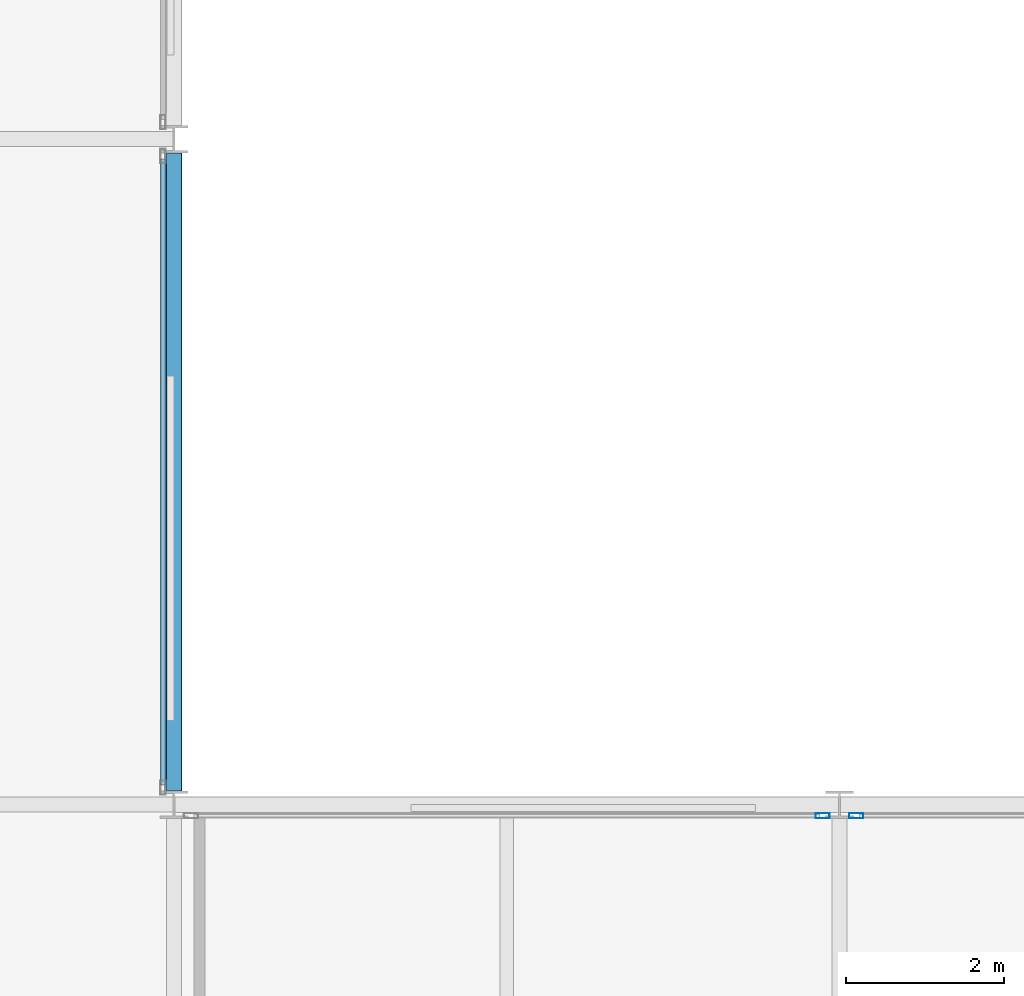
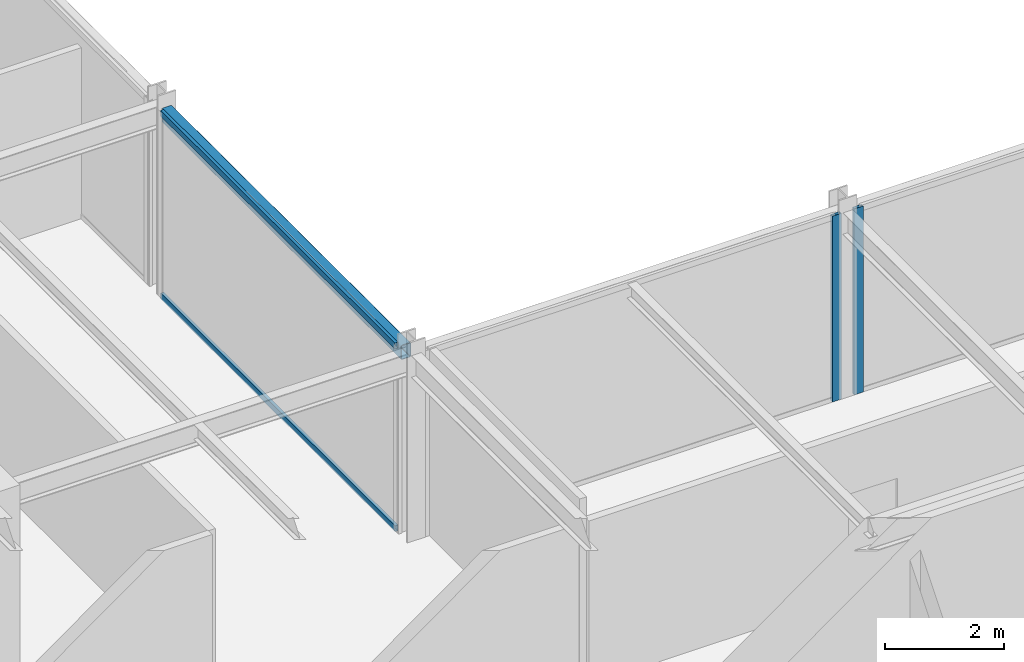
# One storey, part 15 of 29: 4 members, 1 beam, 3 elements without a shape of their own.
"""IFC4 building model written with IfcOpenShell, lengths in metres."""

from ifc_helpers import new_model, si_unit, direction, frame, origin, origin_2d, place, context, subcontext, project, spatial, hollow_rectangle, extrude, material, layer, layer_set, material_profile, profile_set, type_object, element, aggregate, save


model = new_model("IFC4")

# Units and contexts
model_context = context("Model", 3, precision=1e-05, world=origin(), true_north=direction((0.0, 1.0)))
body_context = subcontext(model_context, "Body", "Model", "MODEL_VIEW")
ifc_project = project(units=[si_unit("LENGTHUNIT", "METRE"), si_unit("AREAUNIT", "SQUARE_METRE"), si_unit("VOLUMEUNIT", "CUBIC_METRE"), si_unit("PLANEANGLEUNIT", "RADIAN"), si_unit("MASSUNIT", "GRAM", prefix="KILO")], contexts=[model_context])

# Site, building, storey
site_placement = place(None, origin())
site = spatial("IfcSite", under=ifc_project, at=site_placement, CompositionType="ELEMENT")
building_placement = place(site_placement, origin())
building = spatial("IfcBuilding", under=site, at=building_placement, Name="Nerrivon Quay Data Exchange", CompositionType="ELEMENT")
storey_placement = place(building_placement, frame((0.0, 0.0, 196.0)))
storey = spatial("IfcBuildingStorey", under=building, at=storey_placement, Name="L46", CompositionType="ELEMENT", Elevation=196.0)

# Beam
ifc_material_1 = material(Name="Steel Grade C350L0 (350 MPa)", Category="steel")
ifc_material_profile_1 = material_profile(ifc_material_1, hollow_rectangle(XDim=0.199951171875, YDim=0.300048828125, WallThickness=0.012451171875, InnerFilletRadius=0.018798828125, OuterFilletRadius=0.03125, at=origin_2d()), Name="300x200x12.5RHS")
ifc_profile_set_1 = profile_set([ifc_material_profile_1], Name="Steel Grade C350L0 (350 MPa)")
beam_type = type_object("IfcBeamType", Name="BM-SP3-300x200RHS", PredefinedType="SPANDREL", material=ifc_profile_set_1)
beam_placement = place(storey_placement, frame((25.199951171875, 25.375, 3.675048828125), z_axis=(0.0, 1.0, 0.0), x_axis=(-1.0, 0.0, 0.0)))
element("IfcBeam", 1, at=beam_placement, inside=storey, type_object=beam_type, Name="L46 NS Girder X=25.2 (25.2..33.6)", PredefinedType="SPANDREL", context=body_context, shape_type="SweptSolid", body=[
    extrude(hollow_rectangle(XDim=0.199951171875, YDim=0.300048828125, WallThickness=0.012451171875, InnerFilletRadius=0.018798828125, OuterFilletRadius=0.03125, at=origin_2d()), origin(), (0.0, 0.0, 1.0), 8.050048828125),
])

# Curtain wall, member
ifc_material_2 = material(Name="Anodised aluminium 6063-T6", Category="aluminium")
ifc_layer = layer(ifc_material_2, 0.195068359375)
ifc_layer_set = layer_set([ifc_layer], Name="Anodised aluminium 6063-T6")
curtain_wall_type = type_object("IfcCurtainWallType", Name="CW-SYS-06", PredefinedType="NOTDEFINED", material=ifc_layer_set)
curtain_wall_1_placement = place(storey_placement, origin())
curtain_wall_1 = element("IfcCurtainWall", 2, at=curtain_wall_1_placement, inside=storey, type_object=curtain_wall_type, Name="L46 Unitised Curtain Wall 16", PredefinedType="NOTDEFINED")
ifc_material_profile_2 = material_profile(ifc_material_2, hollow_rectangle(XDim=0.06494140625, YDim=0.179931640625, WallThickness=0.00341796875, at=origin_2d()), Name="ALU-MULL-180x65")
ifc_profile_set_2 = profile_set([ifc_material_profile_2], Name="Anodised aluminium 6063-T6")
member_type_1 = type_object("IfcMemberType", Name="CWM-180x65", PredefinedType="MULLION", material=ifc_profile_set_2)
member_1_placement = place(storey_placement, frame((33.387451171875, 25.06005859375, 0.0), z_axis=(0.0, 0.0, 1.0), x_axis=(0.0, 1.0, 0.0)))
member_1 = element("IfcMember", 3, at=member_1_placement, type_object=member_type_1, Name="CW06 mullion 2", PredefinedType="MULLION", context=body_context, shape_type="SweptSolid", body=[
    extrude(hollow_rectangle(XDim=0.06494140625, YDim=0.179931640625, WallThickness=0.00341796875, at=origin_2d()), origin(), (0.0, 0.0, 1.0), 3.824951171875),
])
aggregate(curtain_wall_1, [member_1])

curtain_wall_2_placement = place(storey_placement, origin())
curtain_wall_2 = element("IfcCurtainWall", 4, at=curtain_wall_2_placement, inside=storey, type_object=curtain_wall_type, Name="L46 Unitised Curtain Wall 17", PredefinedType="NOTDEFINED")
member_2_placement = place(storey_placement, frame((33.8125, 25.06005859375, 0.0), z_axis=(0.0, 0.0, 1.0), x_axis=(0.0, 1.0, 0.0)))
member_2 = element("IfcMember", 5, at=member_2_placement, type_object=member_type_1, Name="CW06 mullion 1", PredefinedType="MULLION", context=body_context, shape_type="SweptSolid", body=[
    extrude(hollow_rectangle(XDim=0.06494140625, YDim=0.179931640625, WallThickness=0.00341796875, at=origin_2d()), origin(), (0.0, 0.0, 1.0), 3.824951171875),
])
aggregate(curtain_wall_2, [member_2])

# Curtain wall, members
curtain_wall_3_placement = place(storey_placement, origin())
curtain_wall_3 = element("IfcCurtainWall", 6, at=curtain_wall_3_placement, inside=storey, type_object=curtain_wall_type, Name="L46 Unitised Curtain Wall 15", PredefinedType="NOTDEFINED")
ifc_material_profile_3 = material_profile(ifc_material_2, hollow_rectangle(XDim=0.06005859375, YDim=0.1201171875, WallThickness=0.003173828125, at=origin_2d()), Name="ALU-TRAN-120x60")
ifc_profile_set_3 = profile_set([ifc_material_profile_3], Name="Anodised aluminium 6063-T6")
member_type_2 = type_object("IfcMemberType", Name="CWT-120x60", PredefinedType="USERDEFINED", material=ifc_profile_set_3)
member_3_placement = place(storey_placement, frame((25.06005859375, 33.35009765625, 0.032470703125), z_axis=(0.0, -1.0, 0.0), x_axis=(1.0, 0.0, 0.0)))
member_3 = element("IfcMember", 7, at=member_3_placement, type_object=member_type_2, Name="CW06 transom 1.1", ObjectType="TRANSOM", PredefinedType="USERDEFINED", context=body_context, shape_type="SweptSolid", body=[
    extrude(hollow_rectangle(XDim=0.06005859375, YDim=0.1201171875, WallThickness=0.003173828125, at=origin_2d()), origin(), (0.0, 0.0, 1.0), 7.900146484375),
])
member_4_placement = place(storey_placement, frame((25.06005859375, 33.35009765625, 3.79248046875), z_axis=(0.0, -1.0, 0.0), x_axis=(1.0, 0.0, 0.0)))
member_4 = element("IfcMember", 8, at=member_4_placement, type_object=member_type_2, Name="CW06 transom 1.2", ObjectType="TRANSOM", PredefinedType="USERDEFINED", context=body_context, shape_type="SweptSolid", body=[
    extrude(hollow_rectangle(XDim=0.06005859375, YDim=0.1201171875, WallThickness=0.003173828125, at=origin_2d()), origin(), (0.0, 0.0, 1.0), 7.900146484375),
])
aggregate(curtain_wall_3, [member_3, member_4])

save(model, "model.ifc")
